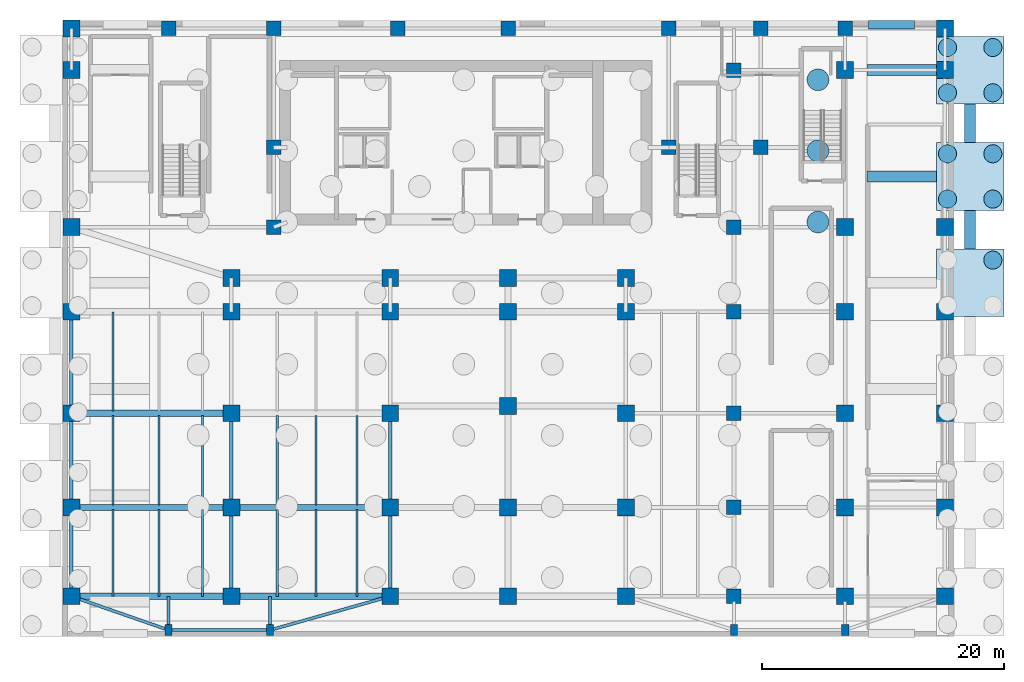
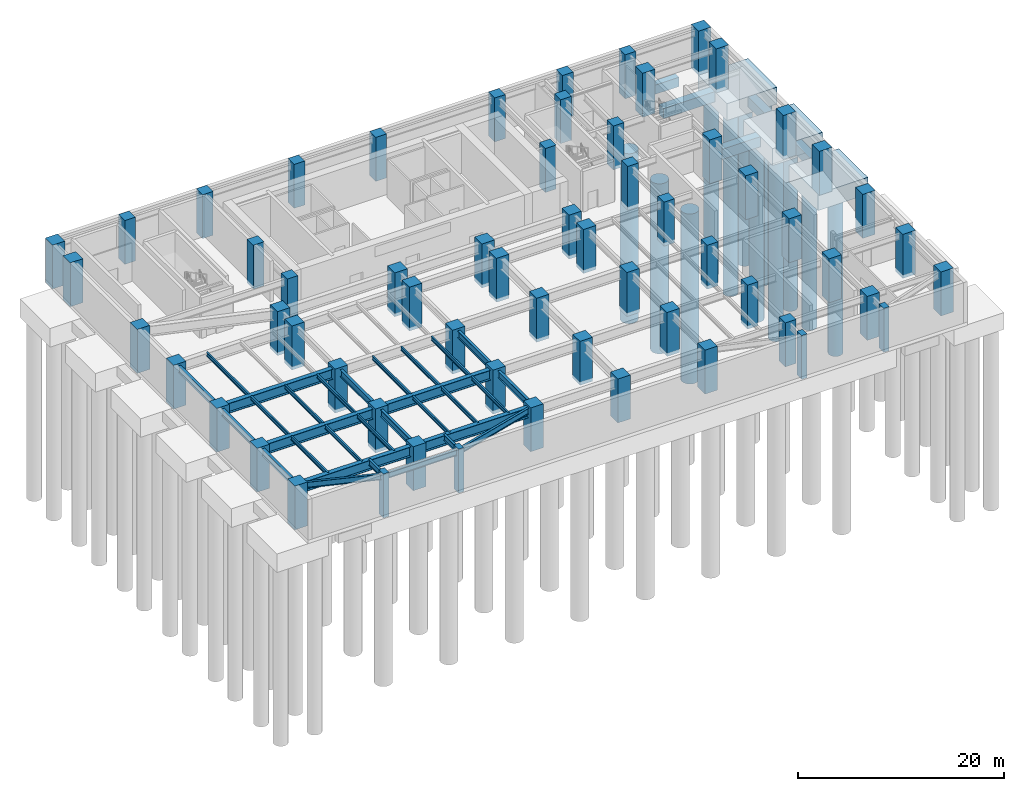
# One storey, part 2 of 9: 61 columns, 30 beams, 12 piles, 8 footings.
"""IFC4 building model written with IfcOpenShell, lengths in metres."""

from ifc_helpers import new_model, si_unit, direction, frame, origin, origin_2d, place, context, subcontext, project, spatial, polyline, rectangle, circle, i_section, outline, extrude, source, transform, mapped, material, material_profile, profile_set, type_object, type_shapes, element, save


model = new_model("IFC4")

# Units and contexts
model_context = context("Model", 3, precision=1e-05, world=origin(), true_north=direction((0.0, 1.0)))
body_context = subcontext(model_context, "Body", "Model", "MODEL_VIEW")
ifc_project = project(units=[si_unit("LENGTHUNIT", "METRE"), si_unit("AREAUNIT", "SQUARE_METRE"), si_unit("VOLUMEUNIT", "CUBIC_METRE"), si_unit("PLANEANGLEUNIT", "RADIAN"), si_unit("MASSUNIT", "GRAM", prefix="KILO")], contexts=[model_context])

# Site, building, storey
site_placement = place(None, origin())
site = spatial("IfcSite", under=ifc_project, at=site_placement, CompositionType="ELEMENT")
building_placement = place(site_placement, origin())
building = spatial("IfcBuilding", under=site, at=building_placement, Name="Tolvann Quenvar Hotel", CompositionType="ELEMENT")
storey_placement = place(building_placement, frame((0.0, 0.0, -14.39990234375)))
storey = spatial("IfcBuildingStorey", under=building, at=storey_placement, Name="B03", CompositionType="ELEMENT", Elevation=-14.39990234375)

# Footings
ifc_material_1 = material(Name="Concrete N50 (50 MPa)", Category="concrete")
footing_type_1 = type_object("IfcFootingType", Name="FTG_PC2_5600", PredefinedType="PILE_CAP", material=ifc_material_1)
footing_1_placement = place(storey_placement, frame((0.0, 0.0, -2.400146484375)))
element("IfcFooting", 1, at=footing_1_placement, inside=storey, type_object=footing_type_1, Name="Footing PC-2 (FTG-PC2-E4)", PredefinedType="PILE_CAP", context=body_context, shape_type="SweptSolid", body=[
    extrude(outline(polyline([(63.949951171875, 24.0), (69.550048828125, 24.0), (69.550048828125, 29.60009765625), (63.949951171875, 29.60009765625), (63.949951171875, 24.0)])), origin(), (0.0, 0.0, 1.0), 2.0),
])
footing_2_placement = place(storey_placement, frame((0.0, 0.0, -2.400146484375)))
element("IfcFooting", 2, at=footing_2_placement, inside=storey, type_object=footing_type_1, Name="Footing PC-2 (FTG-PC2-E5)", PredefinedType="PILE_CAP", context=body_context, shape_type="SweptSolid", body=[
    extrude(outline(polyline([(63.949951171875, 32.800048828125), (69.550048828125, 32.800048828125), (69.550048828125, 38.39990234375), (63.949951171875, 38.39990234375), (63.949951171875, 32.800048828125)])), origin(), (0.0, 0.0, 1.0), 2.0),
])
footing_3_placement = place(storey_placement, frame((0.0, 0.0, -2.400146484375)))
element("IfcFooting", 3, at=footing_3_placement, inside=storey, type_object=footing_type_1, Name="Footing PC-2 (FTG-PC2-E6)", PredefinedType="PILE_CAP", context=body_context, shape_type="SweptSolid", body=[
    extrude(outline(polyline([(63.949951171875, 41.60009765625), (69.550048828125, 41.60009765625), (69.550048828125, 47.199951171875), (63.949951171875, 47.199951171875), (63.949951171875, 41.60009765625)])), origin(), (0.0, 0.0, 1.0), 2.0),
])

# Piles
ifc_material_profile_1 = material_profile(ifc_material_1, circle(Radius=0.75, at=origin_2d()), Name="PILE1500")
ifc_profile_set_1 = profile_set([ifc_material_profile_1], Name="Concrete N50 (50 MPa)")
pile_type_1 = type_object("IfcPileType", Name="PILE_BORED_1500", PredefinedType="BORED", material=ifc_profile_set_1)
for number, where, z_axis, x_axis, name in (
    (4, (68.625, 28.675048828125, -2.280029296875), (0.0, 0.0, -1.0), (1.0, 0.0, 0.0), "Bored Pile PILE-P2-032"),
    (5, (64.875, 33.72509765625, -2.280029296875), (0.0, 0.0, -1.0), (1.0, 0.0, 0.0), "Bored Pile PILE-P2-037"),
    (6, (68.625, 33.72509765625, -2.280029296875), (0.0, 0.0, -1.0), (1.0, 0.0, 0.0), "Bored Pile PILE-P2-038"),
    (7, (64.875, 37.47509765625, -2.280029296875), (0.0, 0.0, -1.0), (1.0, 0.0, 0.0), "Bored Pile PILE-P2-039"),
    (8, (68.625, 37.47509765625, -2.280029296875), (0.0, 0.0, -1.0), (1.0, 0.0, 0.0), "Bored Pile PILE-P2-040"),
    (9, (64.875, 42.52490234375, -2.280029296875), (0.0, 0.0, -1.0), (1.0, 0.0, 0.0), "Bored Pile PILE-P2-045"),
    (10, (68.625, 42.52490234375, -2.280029296875), (0.0, 0.0, -1.0), (1.0, 0.0, 0.0), "Bored Pile PILE-P2-046"),
    (11, (64.875, 46.27490234375, -2.280029296875), (0.0, 0.0, -1.0), (1.0, 0.0, 0.0), "Bored Pile PILE-P2-047"),
    (12, (68.625, 46.27490234375, -2.280029296875), (0.0, 0.0, -1.0), (1.0, 0.0, 0.0), "Bored Pile PILE-P2-048"),
):
    element("IfcPile", number, at=place(storey_placement, frame(where, z_axis=z_axis, x_axis=x_axis)), inside=storey, type_object=pile_type_1, Name=name, PredefinedType="BORED", context=body_context, shape_type="SweptSolid", body=[
        extrude(circle(Radius=0.75, at=origin_2d()), origin(), (0.0, 0.0, 1.0), 21.320068359375),
    ])
ifc_material_2 = material(Name="Concrete S65 (65 MPa)", Category="concrete")
ifc_material_profile_2 = material_profile(ifc_material_2, circle(Radius=0.89990234375, at=origin_2d()), Name="PILE1800")
ifc_profile_set_2 = profile_set([ifc_material_profile_2], Name="Concrete S65 (65 MPa)")
pile_type_2 = type_object("IfcPileType", Name="PILE_BORED_1800", PredefinedType="BORED", material=ifc_profile_set_2)
for number, where, z_axis, x_axis, name in (
    (13, (54.14990234375, 31.8291015625, -3.47998046875), (0.0, 0.0, -1.0), (1.0, 0.0, 0.0), "Bored Pile PILE-P1-048"),
    (14, (54.14990234375, 37.714111328125, -3.47998046875), (0.0, 0.0, -1.0), (1.0, 0.0, 0.0), "Bored Pile PILE-P1-056"),
    (15, (54.14990234375, 43.60009765625, -3.47998046875), (0.0, 0.0, -1.0), (1.0, 0.0, 0.0), "Bored Pile PILE-P1-064"),
):
    element("IfcPile", number, at=place(storey_placement, frame(where, z_axis=z_axis, x_axis=x_axis)), inside=storey, type_object=pile_type_2, Name=name, PredefinedType="BORED", context=body_context, shape_type="SweptSolid", body=[
        extrude(circle(Radius=0.89990234375, at=origin_2d()), origin(), (0.0, 0.0, 1.0), 20.1201171875),
    ])

# Footings
ifc_material_profile_3 = material_profile(ifc_material_1, rectangle(XDim=0.89990234375, YDim=1.199951171875, at=origin_2d()), Name="RC900x1200")
ifc_profile_set_3 = profile_set([ifc_material_profile_3], Name="Concrete N50 (50 MPa)")
footing_type_2 = type_object("IfcFootingType", Name="FTG_GB1_900x1200", PredefinedType="FOOTING_BEAM", material=ifc_profile_set_3)
shared_shape_1 = source(origin(), body_context, "Body", "SweptSolid", [
    extrude(rectangle(XDim=0.89990234375, YDim=1.199951171875, at=origin_2d()), origin(), (0.0, 0.0, 1.0), 3.199951171875),
])
footing_4_placement = place(storey_placement, frame((66.75, 29.60009765625, -1.0), z_axis=(0.0, 1.0, 0.0), x_axis=(-1.0, 0.0, 0.0)))
element("IfcFooting", 16, at=footing_4_placement, inside=storey, type_object=footing_type_2, Name="Ground Tie Beam FTG-GB1-EL4", PredefinedType="FOOTING_BEAM", context=body_context, shape_type="MappedRepresentation", body=[
    mapped(shared_shape_1, transform((0.0, 0.0, 0.0), x_axis=(1.0, 0.0, 0.0), y_axis=(0.0, 1.0, 0.0), z_axis=(0.0, 0.0, 1.0), scale=1.0)),
])
shared_shape_2 = source(origin(), body_context, "Body", "SweptSolid", [
    extrude(rectangle(XDim=0.89990234375, YDim=1.199951171875, at=origin_2d()), origin(), (0.0, 0.0, 1.0), 3.2001953125),
])
footing_5_placement = place(storey_placement, frame((66.75, 38.39990234375, -1.0), z_axis=(0.0, 1.0, 0.0), x_axis=(-1.0, 0.0, 0.0)))
element("IfcFooting", 17, at=footing_5_placement, inside=storey, type_object=footing_type_2, Name="Ground Tie Beam FTG-GB1-EL5", PredefinedType="FOOTING_BEAM", context=body_context, shape_type="MappedRepresentation", body=[
    mapped(shared_shape_2, transform((0.0, 0.0, 0.0), x_axis=(1.0, 0.0, 0.0), y_axis=(0.0, 1.0, 0.0), z_axis=(0.0, 0.0, 1.0), scale=1.0)),
])
shared_shape_3 = source(origin(), body_context, "Body", "SweptSolid", [
    extrude(rectangle(XDim=0.89990234375, YDim=1.199951171875, at=origin_2d()), origin(), (0.0, 0.0, 1.0), 5.75),
])
type_shapes(footing_type_2, [shared_shape_1, shared_shape_2, shared_shape_3])
for number, where, z_axis, x_axis, name in (
    (18, (58.199951171875, 35.60009765625, -1.0), (1.0, 0.0, 0.0), (0.0, 1.0, 0.0), "Ground Tie Beam FTG-GB1-ET5"),
    (19, (58.199951171875, 44.39990234375, -1.0), (1.0, 0.0, 0.0), (0.0, 1.0, 0.0), "Ground Tie Beam FTG-GB1-ET6"),
):
    element("IfcFooting", number, at=place(storey_placement, frame(where, z_axis=z_axis, x_axis=x_axis)), inside=storey, type_object=footing_type_2, Name=name, PredefinedType="FOOTING_BEAM", context=body_context, shape_type="MappedRepresentation", body=[
        mapped(shared_shape_3, transform((0.0, 0.0, 0.0), x_axis=(1.0, 0.0, 0.0), y_axis=(0.0, 1.0, 0.0), z_axis=(0.0, 0.0, 1.0), scale=1.0)),
    ])
ifc_material_profile_4 = material_profile(ifc_material_1, rectangle(XDim=0.699951171875, YDim=1.10009765625, at=origin_2d()), Name="RC700x1100")
ifc_profile_set_4 = profile_set([ifc_material_profile_4], Name="Concrete N50 (50 MPa)")
footing_type_3 = type_object("IfcFootingType", Name="FTG_SF1_700x1100", PredefinedType="STRIP_FOOTING", material=ifc_profile_set_4)
shared_shape_4 = source(origin(), body_context, "Body", "SweptSolid", [
    extrude(rectangle(XDim=0.699951171875, YDim=1.10009765625, at=origin_2d()), origin(), (0.0, 0.0, 1.0), 3.7998046875),
])
type_shapes(footing_type_3, [shared_shape_4])
footing_6_placement = place(storey_placement, frame((58.35009765625, 48.14990234375, -0.9501953125), z_axis=(1.0, 0.0, 0.0), x_axis=(0.0, 1.0, 0.0)))
element("IfcFooting", 20, at=footing_6_placement, inside=storey, type_object=footing_type_3, Name="Strip Footing FTG-SF1-NE", PredefinedType="STRIP_FOOTING", context=body_context, shape_type="MappedRepresentation", body=[
    mapped(shared_shape_4, transform((0.0, 0.0, 0.0), x_axis=(1.0, 0.0, 0.0), y_axis=(0.0, 1.0, 0.0), z_axis=(0.0, 0.0, 1.0), scale=1.0)),
])

# Columns
ifc_material_3 = material(Name="Concrete S80 (80 MPa)", Category="concrete")
ifc_material_profile_5 = material_profile(ifc_material_3, rectangle(XDim=1.39990234375, YDim=1.39990234375, at=origin_2d()), Name="RC1400x1400")
ifc_profile_set_5 = profile_set([ifc_material_profile_5], Name="Concrete S80 (80 MPa)")
column_type_1 = type_object("IfcColumnType", Name="COL_RC1400", PredefinedType="COLUMN", material=ifc_profile_set_5)
shared_shape_5 = source(origin(), body_context, "Body", "SweptSolid", [
    extrude(rectangle(XDim=1.39990234375, YDim=1.39990234375, at=origin_2d()), origin(), (0.0, 0.0, 1.0), 5.199951171875),
])
type_shapes(column_type_1, [shared_shape_5])
for number, where, z_axis, x_axis, name in (
    (21, (-7.64990234375, 0.85009765625, -0.400146484375), (0.0, 0.0, 1.0), (1.0, 0.0, 0.0), "Column PA1 (B03)"),
    (22, (64.64990234375, 0.85009765625, -0.400146484375), (0.0, 0.0, 1.0), (1.0, 0.0, 0.0), "Column PK1 (B03)"),
    (23, (-7.64990234375, 8.199951171875, -0.400146484375), (0.0, 0.0, 1.0), (1.0, 0.0, 0.0), "Column PA2 (B03)"),
    (24, (64.64990234375, 8.199951171875, -0.400146484375), (0.0, 0.0, 1.0), (1.0, 0.0, 0.0), "Column PK2 (B03)"),
    (25, (-7.64990234375, 16.0, -0.400146484375), (0.0, 0.0, 1.0), (1.0, 0.0, 0.0), "Column PA3 (B03)"),
    (26, (64.64990234375, 16.0, -0.400146484375), (0.0, 0.0, 1.0), (1.0, 0.0, 0.0), "Column PK3 (B03)"),
    (27, (-7.64990234375, 24.39990234375, -0.400146484375), (0.0, 0.0, 1.0), (1.0, 0.0, 0.0), "Column PA4 (B03)"),
    (28, (64.64990234375, 24.39990234375, -0.400146484375), (0.0, 0.0, 1.0), (1.0, 0.0, 0.0), "Column PK4 (B03)"),
    (29, (-7.64990234375, 31.39990234375, -0.400146484375), (0.0, 0.0, 1.0), (1.0, 0.0, 0.0), "Column PA5 (B03)"),
    (30, (64.64990234375, 31.39990234375, -0.400146484375), (0.0, 0.0, 1.0), (1.0, 0.0, 0.0), "Column PK5 (B03)"),
    (31, (-7.64990234375, 44.39990234375, -0.400146484375), (0.0, 0.0, 1.0), (1.0, 0.0, 0.0), "Column PA6 (B03)"),
    (32, (64.64990234375, 44.39990234375, -0.400146484375), (0.0, 0.0, 1.0), (1.0, 0.0, 0.0), "Column PK6 (B03)"),
    (33, (-7.64990234375, 47.85009765625, -0.400146484375), (0.0, 0.0, 1.0), (1.0, 0.0, 0.0), "Column PAN (B03)"),
    (34, (64.64990234375, 47.85009765625, -0.400146484375), (0.0, 0.0, 1.0), (1.0, 0.0, 0.0), "Column PKN (B03)"),
    (35, (18.75, 0.85009765625, -0.400146484375), (0.0, 0.0, 1.0), (1.0, 0.0, 0.0), "Column PAPW1 (B03)"),
    (36, (38.25, 0.85009765625, -0.400146484375), (0.0, 0.0, 1.0), (1.0, 0.0, 0.0), "Column PAPE1 (B03)"),
    (37, (18.75, 8.199951171875, -0.400146484375), (0.0, 0.0, 1.0), (1.0, 0.0, 0.0), "Column PAPW2 (B03)"),
    (38, (38.25, 8.199951171875, -0.400146484375), (0.0, 0.0, 1.0), (1.0, 0.0, 0.0), "Column PAPE2 (B03)"),
    (39, (18.75, 16.0, -0.400146484375), (0.0, 0.0, 1.0), (1.0, 0.0, 0.0), "Column PAPW3 (B03)"),
    (40, (38.25, 16.0, -0.400146484375), (0.0, 0.0, 1.0), (1.0, 0.0, 0.0), "Column PAPE3 (B03)"),
    (41, (18.75, 24.39990234375, -0.400146484375), (0.0, 0.0, 1.0), (1.0, 0.0, 0.0), "Column PAPW4 (B03)"),
    (42, (38.25, 24.39990234375, -0.400146484375), (0.0, 0.0, 1.0), (1.0, 0.0, 0.0), "Column PAPE4 (B03)"),
    (43, (18.75, 27.199951171875, -0.400146484375), (0.0, 0.0, 1.0), (1.0, 0.0, 0.0), "Column PAPW5 (B03)"),
    (44, (38.25, 27.199951171875, -0.400146484375), (0.0, 0.0, 1.0), (1.0, 0.0, 0.0), "Column PAPE5 (B03)"),
    (45, (56.39990234375, 0.85009765625, -0.400146484375), (0.0, 0.0, 1.0), (1.0, 0.0, 0.0), "Column PJ1 (B03)"),
    (46, (56.39990234375, 8.199951171875, -0.400146484375), (0.0, 0.0, 1.0), (1.0, 0.0, 0.0), "Column PJ2 (B03)"),
    (47, (56.39990234375, 16.0, -0.400146484375), (0.0, 0.0, 1.0), (1.0, 0.0, 0.0), "Column PJ3 (B03)"),
    (48, (56.39990234375, 24.39990234375, -0.400146484375), (0.0, 0.0, 1.0), (1.0, 0.0, 0.0), "Column PJ4 (B03)"),
    (49, (56.39990234375, 31.39990234375, -0.400146484375), (0.0, 0.0, 1.0), (1.0, 0.0, 0.0), "Column PJ5 (B03)"),
    (50, (56.39990234375, 44.39990234375, -0.400146484375), (0.0, 0.0, 1.0), (1.0, 0.0, 0.0), "Column PJ6 (B03)"),
    (51, (5.60009765625, 0.85009765625, -0.400146484375), (0.0, 0.0, 1.0), (1.0, 0.0, 0.0), "Column PBAL1 (B03)"),
    (52, (5.60009765625, 8.199951171875, -0.400146484375), (0.0, 0.0, 1.0), (1.0, 0.0, 0.0), "Column PBAL2 (B03)"),
    (53, (5.60009765625, 16.0, -0.400146484375), (0.0, 0.0, 1.0), (1.0, 0.0, 0.0), "Column PBAL3 (B03)"),
    (54, (5.60009765625, 24.39990234375, -0.400146484375), (0.0, 0.0, 1.0), (1.0, 0.0, 0.0), "Column PBAL4 (B03)"),
    (55, (5.60009765625, 27.199951171875, -0.400146484375), (0.0, 0.0, 1.0), (1.0, 0.0, 0.0), "Column PBAL5 (B03)"),
    (56, (28.5, 0.85009765625, -0.400146484375), (0.0, 0.0, 1.0), (1.0, 0.0, 0.0), "Column PARCH1 (B03)"),
    (57, (28.5, 8.199951171875, -0.400146484375), (0.0, 0.0, 1.0), (1.0, 0.0, 0.0), "Column PARCH2 (B03)"),
    (58, (28.5, 16.60009765625, -0.400146484375), (0.0, 0.0, 1.0), (1.0, 0.0, 0.0), "Column PARCH3 (B03)"),
    (59, (28.5, 24.39990234375, -0.400146484375), (0.0, 0.0, 1.0), (1.0, 0.0, 0.0), "Column PARCH4 (B03)"),
    (60, (28.5, 27.199951171875, -0.400146484375), (0.0, 0.0, 1.0), (1.0, 0.0, 0.0), "Column PARCH5 (B03)"),
):
    element("IfcColumn", number, at=place(storey_placement, frame(where, z_axis=z_axis, x_axis=x_axis)), inside=storey, type_object=column_type_1, Name=name, PredefinedType="COLUMN", context=body_context, shape_type="MappedRepresentation", body=[
        mapped(shared_shape_5, transform((0.0, 0.0, 0.0), x_axis=(1.0, 0.0, 0.0), y_axis=(0.0, 1.0, 0.0), z_axis=(0.0, 0.0, 1.0), scale=1.0)),
    ])
ifc_material_profile_6 = material_profile(ifc_material_3, rectangle(XDim=1.199951171875, YDim=1.199951171875, at=origin_2d()), Name="RC1200x1200")
ifc_profile_set_6 = profile_set([ifc_material_profile_6], Name="Concrete S80 (80 MPa)")
column_type_2 = type_object("IfcColumnType", Name="COL_RC1200", PredefinedType="COLUMN", material=ifc_profile_set_6)
shared_shape_6 = source(origin(), body_context, "Body", "SweptSolid", [
    extrude(rectangle(XDim=1.199951171875, YDim=1.199951171875, at=origin_2d()), origin(), (0.0, 0.0, 1.0), 5.199951171875),
])
type_shapes(column_type_2, [shared_shape_6])
for number, where, z_axis, x_axis, name in (
    (61, (47.199951171875, 0.85009765625, -0.400146484375), (0.0, 0.0, 1.0), (1.0, 0.0, 0.0), "Column PH1 (B03)"),
    (62, (47.199951171875, 8.199951171875, -0.400146484375), (0.0, 0.0, 1.0), (1.0, 0.0, 0.0), "Column PH2 (B03)"),
    (63, (47.199951171875, 16.0, -0.400146484375), (0.0, 0.0, 1.0), (1.0, 0.0, 0.0), "Column PH3 (B03)"),
    (64, (47.199951171875, 24.39990234375, -0.400146484375), (0.0, 0.0, 1.0), (1.0, 0.0, 0.0), "Column PH4 (B03)"),
    (65, (47.199951171875, 31.39990234375, -0.400146484375), (0.0, 0.0, 1.0), (1.0, 0.0, 0.0), "Column PH5 (B03)"),
    (66, (47.199951171875, 44.39990234375, -0.400146484375), (0.0, 0.0, 1.0), (1.0, 0.0, 0.0), "Column PH6 (B03)"),
    (67, (0.39990234375, 47.85009765625, -0.400146484375), (0.0, 0.0, 1.0), (1.0, 0.0, 0.0), "Column PN1 (B03)"),
    (68, (9.10009765625, 47.85009765625, -0.400146484375), (0.0, 0.0, 1.0), (1.0, 0.0, 0.0), "Column PN2 (B03)"),
    (69, (19.35009765625, 47.85009765625, -0.400146484375), (0.0, 0.0, 1.0), (1.0, 0.0, 0.0), "Column PN3 (B03)"),
    (70, (28.5, 47.85009765625, -0.400146484375), (0.0, 0.0, 1.0), (1.0, 0.0, 0.0), "Column PN4 (B03)"),
    (71, (41.800048828125, 47.85009765625, -0.400146484375), (0.0, 0.0, 1.0), (1.0, 0.0, 0.0), "Column PN5 (B03)"),
    (72, (49.39990234375, 47.85009765625, -0.400146484375), (0.0, 0.0, 1.0), (1.0, 0.0, 0.0), "Column PN6 (B03)"),
    (73, (56.39990234375, 47.85009765625, -0.400146484375), (0.0, 0.0, 1.0), (1.0, 0.0, 0.0), "Column PN7 (B03)"),
    (74, (9.10009765625, 38.0, -0.400146484375), (0.0, 0.0, 1.0), (1.0, 0.0, 0.0), "Column PCN (B03)"),
    (75, (41.800048828125, 38.0, -0.400146484375), (0.0, 0.0, 1.0), (1.0, 0.0, 0.0), "Column PHN (B03)"),
    (76, (49.39990234375, 38.0, -0.400146484375), (0.0, 0.0, 1.0), (1.0, 0.0, 0.0), "Column PIN (B03)"),
    (77, (9.10009765625, 31.39990234375, -0.400146484375), (0.0, 0.0, 1.0), (1.0, 0.0, 0.0), "Column PCNS (B03)"),
):
    element("IfcColumn", number, at=place(storey_placement, frame(where, z_axis=z_axis, x_axis=x_axis)), inside=storey, type_object=column_type_2, Name=name, PredefinedType="COLUMN", context=body_context, shape_type="MappedRepresentation", body=[
        mapped(shared_shape_6, transform((0.0, 0.0, 0.0), x_axis=(1.0, 0.0, 0.0), y_axis=(0.0, 1.0, 0.0), z_axis=(0.0, 0.0, 1.0), scale=1.0)),
    ])
ifc_material_profile_7 = material_profile(ifc_material_1, rectangle(XDim=0.60009765625, YDim=0.89990234375, at=origin_2d()), Name="RC600x900")
ifc_profile_set_7 = profile_set([ifc_material_profile_7], Name="Concrete N50 (50 MPa)")
column_type_3 = type_object("IfcColumnType", Name="COL_PILASTER_600x900", PredefinedType="PILASTER", material=ifc_profile_set_7)
shared_shape_7 = source(origin(), body_context, "Body", "SweptSolid", [
    extrude(rectangle(XDim=0.60009765625, YDim=0.89990234375, at=origin_2d()), origin(), (0.0, 0.0, 1.0), 5.199951171875),
])
type_shapes(column_type_3, [shared_shape_7])
for number, where, z_axis, x_axis, name in (
    (78, (0.39990234375, -1.949951171875, -0.400146484375), (0.0, 0.0, 1.0), (1.0, 0.0, 0.0), "Column PIL-S1 (B03)"),
    (79, (8.800048828125, -1.949951171875, -0.400146484375), (0.0, 0.0, 1.0), (1.0, 0.0, 0.0), "Column PIL-S2 (B03)"),
    (80, (47.199951171875, -1.949951171875, -0.400146484375), (0.0, 0.0, 1.0), (1.0, 0.0, 0.0), "Column PIL-S3 (B03)"),
    (81, (56.39990234375, -1.949951171875, -0.400146484375), (0.0, 0.0, 1.0), (1.0, 0.0, 0.0), "Column PIL-S4 (B03)"),
):
    element("IfcColumn", number, at=place(storey_placement, frame(where, z_axis=z_axis, x_axis=x_axis)), inside=storey, type_object=column_type_3, Name=name, PredefinedType="PILASTER", context=body_context, shape_type="MappedRepresentation", body=[
        mapped(shared_shape_7, transform((0.0, 0.0, 0.0), x_axis=(1.0, 0.0, 0.0), y_axis=(0.0, 1.0, 0.0), z_axis=(0.0, 0.0, 1.0), scale=1.0)),
    ])

# Beams
ifc_material_4 = material(Name="Steel Grade 350", Category="steel")
ifc_material_profile_8 = material_profile(ifc_material_4, i_section(OverallWidth=0.5, OverallDepth=1.199951171875, WebThickness=0.01611328125, FlangeThickness=0.0400390625, at=origin_2d()), Name="1200WB455")
ifc_profile_set_8 = profile_set([ifc_material_profile_8], Name="Steel Grade 350")
beam_type_1 = type_object("IfcBeamType", Name="BM_TG_1200WB455", PredefinedType="USERDEFINED", material=ifc_profile_set_8)
shared_shape_8 = source(origin(), body_context, "Body", "SweptSolid", [
    extrude(i_section(OverallWidth=0.5, OverallDepth=1.199951171875, WebThickness=0.01611328125, FlangeThickness=0.0400390625, at=origin_2d()), origin(), (0.0, 0.0, 1.0), 13.25),
])
for number, where, z_axis, x_axis, name in (
    (82, (-7.64990234375, 0.85009765625, 3.93994140625), (1.0, 0.0, 0.0), (0.0, 1.0, 0.0), "BM-B03-GW1-1"),
    (83, (-7.64990234375, 8.199951171875, 3.93994140625), (1.0, 0.0, 0.0), (0.0, 1.0, 0.0), "BM-B03-GW1-2"),
    (84, (-7.64990234375, 16.0, 3.93994140625), (1.0, 0.0, 0.0), (0.0, 1.0, 0.0), "BM-B03-GW1-3"),
):
    element("IfcBeam", number, at=place(storey_placement, frame(where, z_axis=z_axis, x_axis=x_axis)), inside=storey, type_object=beam_type_1, Name=name, ObjectType="TRANSFER GIRDER", PredefinedType="USERDEFINED", context=body_context, shape_type="MappedRepresentation", body=[
        mapped(shared_shape_8, transform((0.0, 0.0, 0.0), x_axis=(1.0, 0.0, 0.0), y_axis=(0.0, 1.0, 0.0), z_axis=(0.0, 0.0, 1.0), scale=1.0)),
    ])
shared_shape_9 = source(origin(), body_context, "Body", "SweptSolid", [
    extrude(i_section(OverallWidth=0.5, OverallDepth=1.199951171875, WebThickness=0.01611328125, FlangeThickness=0.0400390625, at=origin_2d()), origin(), (0.0, 0.0, 1.0), 13.14990234375),
])
type_shapes(beam_type_1, [shared_shape_8, shared_shape_9])
for number, where, z_axis, x_axis, name in (
    (85, (5.60009765625, 0.85009765625, 3.93994140625), (1.0, 0.0, 0.0), (0.0, 1.0, 0.0), "BM-B03-GW2-1"),
    (86, (5.60009765625, 8.199951171875, 3.93994140625), (1.0, 0.0, 0.0), (0.0, 1.0, 0.0), "BM-B03-GW2-2"),
):
    element("IfcBeam", number, at=place(storey_placement, frame(where, z_axis=z_axis, x_axis=x_axis)), inside=storey, type_object=beam_type_1, Name=name, ObjectType="TRANSFER GIRDER", PredefinedType="USERDEFINED", context=body_context, shape_type="MappedRepresentation", body=[
        mapped(shared_shape_9, transform((0.0, 0.0, 0.0), x_axis=(1.0, 0.0, 0.0), y_axis=(0.0, 1.0, 0.0), z_axis=(0.0, 0.0, 1.0), scale=1.0)),
    ])
ifc_material_profile_9 = material_profile(ifc_material_4, i_section(OverallWidth=0.300048828125, OverallDepth=0.81591796875, WebThickness=0.010009765625, FlangeThickness=0.028076171875, at=origin_2d()), Name="800WB192")
ifc_profile_set_9 = profile_set([ifc_material_profile_9], Name="Steel Grade 350")
beam_type_2 = type_object("IfcBeamType", Name="BM_GIRD_800WB192", PredefinedType="BEAM", material=ifc_profile_set_9)
shared_shape_10 = source(origin(), body_context, "Body", "SweptSolid", [
    extrude(i_section(OverallWidth=0.300048828125, OverallDepth=0.81591796875, WebThickness=0.010009765625, FlangeThickness=0.028076171875, at=origin_2d()), origin(), (0.0, 0.0, 1.0), 7.349853515625),
])
for number, where, z_axis, x_axis, name in (
    (87, (5.60009765625, 0.85009765625, 4.1318359375), (0.0, 1.0, 0.0), (-1.0, 0.0, 0.0), "BM-B03-NS-PBAL-0"),
    (88, (-7.64990234375, 0.85009765625, 4.1318359375), (0.0, 1.0, 0.0), (-1.0, 0.0, 0.0), "BM-B03-NS-A-0"),
    (89, (18.75, 0.85009765625, 4.1318359375), (0.0, 1.0, 0.0), (-1.0, 0.0, 0.0), "BM-B03-NS-APW-0"),
):
    element("IfcBeam", number, at=place(storey_placement, frame(where, z_axis=z_axis, x_axis=x_axis)), inside=storey, type_object=beam_type_2, Name=name, PredefinedType="BEAM", context=body_context, shape_type="MappedRepresentation", body=[
        mapped(shared_shape_10, transform((0.0, 0.0, 0.0), x_axis=(1.0, 0.0, 0.0), y_axis=(0.0, 1.0, 0.0), z_axis=(0.0, 0.0, 1.0), scale=1.0)),
    ])
shared_shape_11 = source(origin(), body_context, "Body", "SweptSolid", [
    extrude(i_section(OverallWidth=0.300048828125, OverallDepth=0.81591796875, WebThickness=0.010009765625, FlangeThickness=0.028076171875, at=origin_2d()), origin(), (0.0, 0.0, 1.0), 7.800048828125),
])
for number, where, z_axis, x_axis, name in (
    (90, (5.60009765625, 8.199951171875, 4.1318359375), (0.0, 1.0, 0.0), (-1.0, 0.0, 0.0), "BM-B03-NS-PBAL-1"),
    (91, (-7.64990234375, 8.199951171875, 4.1318359375), (0.0, 1.0, 0.0), (-1.0, 0.0, 0.0), "BM-B03-NS-A-1"),
    (92, (18.75, 8.199951171875, 4.1318359375), (0.0, 1.0, 0.0), (-1.0, 0.0, 0.0), "BM-B03-NS-APW-1"),
):
    element("IfcBeam", number, at=place(storey_placement, frame(where, z_axis=z_axis, x_axis=x_axis)), inside=storey, type_object=beam_type_2, Name=name, PredefinedType="BEAM", context=body_context, shape_type="MappedRepresentation", body=[
        mapped(shared_shape_11, transform((0.0, 0.0, 0.0), x_axis=(1.0, 0.0, 0.0), y_axis=(0.0, 1.0, 0.0), z_axis=(0.0, 0.0, 1.0), scale=1.0)),
    ])
shared_shape_12 = source(origin(), body_context, "Body", "SweptSolid", [
    extrude(i_section(OverallWidth=0.300048828125, OverallDepth=0.81591796875, WebThickness=0.010009765625, FlangeThickness=0.028076171875, at=origin_2d()), origin(), (0.0, 0.0, 1.0), 8.39990234375),
])
type_shapes(beam_type_2, [shared_shape_10, shared_shape_11, shared_shape_12])
beam_1_placement = place(storey_placement, frame((-7.64990234375, 16.0, 4.1318359375), z_axis=(0.0, 1.0, 0.0), x_axis=(-1.0, 0.0, 0.0)))
element("IfcBeam", 93, at=beam_1_placement, inside=storey, type_object=beam_type_2, Name="BM-B03-NS-A-2", PredefinedType="BEAM", context=body_context, shape_type="MappedRepresentation", body=[
    mapped(shared_shape_12, transform((0.0, 0.0, 0.0), x_axis=(1.0, 0.0, 0.0), y_axis=(0.0, 1.0, 0.0), z_axis=(0.0, 0.0, 1.0), scale=1.0)),
])
ifc_material_profile_10 = material_profile(ifc_material_4, i_section(OverallWidth=0.25, OverallDepth=0.699951171875, WebThickness=0.010009765625, FlangeThickness=0.02392578125, at=origin_2d()), Name="700WB150")
ifc_profile_set_10 = profile_set([ifc_material_profile_10], Name="Steel Grade 350")
beam_type_3 = type_object("IfcBeamType", Name="BM_GIRD_700WB150", PredefinedType="BEAM", material=ifc_profile_set_10)
shared_shape_13 = source(origin(), body_context, "Body", "SweptSolid", [
    extrude(i_section(OverallWidth=0.25, OverallDepth=0.699951171875, WebThickness=0.010009765625, FlangeThickness=0.02392578125, at=origin_2d()), origin(), (0.0, 0.0, 1.0), 8.52294921875),
])
beam_2_placement = place(storey_placement, frame((-7.64990234375, 0.85009765625, 4.18994140625), z_axis=(0.944492545724, -0.328532846261, 0.0), x_axis=(0.328532846261, 0.944492545724, 0.0)))
element("IfcBeam", 94, at=beam_2_placement, inside=storey, type_object=beam_type_3, Name="BM-B03-EWS-W0", PredefinedType="BEAM", context=body_context, shape_type="MappedRepresentation", body=[
    mapped(shared_shape_13, transform((0.0, 0.0, 0.0), x_axis=(1.0, 0.0, 0.0), y_axis=(0.0, 1.0, 0.0), z_axis=(0.0, 0.0, 1.0), scale=1.0)),
])
shared_shape_14 = source(origin(), body_context, "Body", "SweptSolid", [
    extrude(i_section(OverallWidth=0.25, OverallDepth=0.699951171875, WebThickness=0.010009765625, FlangeThickness=0.02392578125, at=origin_2d()), origin(), (0.0, 0.0, 1.0), 8.400146484375),
])
beam_3_placement = place(storey_placement, frame((0.39990234375, -1.949951171875, 4.18994140625), z_axis=(1.0, 0.0, 0.0), x_axis=(0.0, 1.0, 0.0)))
element("IfcBeam", 95, at=beam_3_placement, inside=storey, type_object=beam_type_3, Name="BM-B03-EWS-W1", PredefinedType="BEAM", context=body_context, shape_type="MappedRepresentation", body=[
    mapped(shared_shape_14, transform((0.0, 0.0, 0.0), x_axis=(1.0, 0.0, 0.0), y_axis=(0.0, 1.0, 0.0), z_axis=(0.0, 0.0, 1.0), scale=1.0)),
])
shared_shape_15 = source(origin(), body_context, "Body", "SweptSolid", [
    extrude(i_section(OverallWidth=0.25, OverallDepth=0.699951171875, WebThickness=0.010009765625, FlangeThickness=0.02392578125, at=origin_2d()), origin(), (0.0, 0.0, 1.0), 10.33642578125),
])
beam_4_placement = place(storey_placement, frame((8.800048828125, -1.949951171875, 4.18994140625), z_axis=(0.962609953155, 0.270891266169, 0.0), x_axis=(-0.270891266169, 0.962609953155, 0.0)))
element("IfcBeam", 96, at=beam_4_placement, inside=storey, type_object=beam_type_3, Name="BM-B03-EWS-W2", PredefinedType="BEAM", context=body_context, shape_type="MappedRepresentation", body=[
    mapped(shared_shape_15, transform((0.0, 0.0, 0.0), x_axis=(1.0, 0.0, 0.0), y_axis=(0.0, 1.0, 0.0), z_axis=(0.0, 0.0, 1.0), scale=1.0)),
])
shared_shape_16 = source(origin(), body_context, "Body", "SweptSolid", [
    extrude(i_section(OverallWidth=0.25, OverallDepth=0.699951171875, WebThickness=0.010009765625, FlangeThickness=0.02392578125, at=origin_2d()), origin(), (0.0, 0.0, 1.0), 2.800048828125),
])
type_shapes(beam_type_3, [shared_shape_13, shared_shape_14, shared_shape_15, shared_shape_16])
for number, where, z_axis, x_axis, name in (
    (97, (0.39990234375, -1.949951171875, 4.18994140625), (0.0, 1.0, 0.0), (-1.0, 0.0, 0.0), "BM-B03-TIE-S-0"),
    (98, (8.800048828125, -1.949951171875, 4.18994140625), (0.0, 1.0, 0.0), (-1.0, 0.0, 0.0), "BM-B03-TIE-S-8"),
):
    element("IfcBeam", number, at=place(storey_placement, frame(where, z_axis=z_axis, x_axis=x_axis)), inside=storey, type_object=beam_type_3, Name=name, PredefinedType="BEAM", context=body_context, shape_type="MappedRepresentation", body=[
        mapped(shared_shape_16, transform((0.0, 0.0, 0.0), x_axis=(1.0, 0.0, 0.0), y_axis=(0.0, 1.0, 0.0), z_axis=(0.0, 0.0, 1.0), scale=1.0)),
    ])
ifc_material_profile_11 = material_profile(ifc_material_4, i_section(OverallWidth=0.18994140625, OverallDepth=0.4541015625, WebThickness=0.008544921875, FlangeThickness=0.0126953125, FilletRadius=0.011474609375, at=origin_2d()), Name="460UB67")
ifc_profile_set_11 = profile_set([ifc_material_profile_11], Name="Steel Grade 350")
beam_type_4 = type_object("IfcBeamType", Name="BM_JOIST_460UB67", PredefinedType="JOIST", material=ifc_profile_set_11)
shared_shape_17 = source(origin(), body_context, "Body", "SweptSolid", [
    extrude(i_section(OverallWidth=0.18994140625, OverallDepth=0.4541015625, WebThickness=0.008544921875, FlangeThickness=0.0126953125, FilletRadius=0.011474609375, at=origin_2d()), origin(), (0.0, 0.0, 1.0), 7.164794921875),
])
for number, where, z_axis, x_axis, name in (
    (99, (-4.199951171875, 0.85009765625, 4.31298828125), (0.0, 1.0, 0.0), (-1.0, 0.0, 0.0), "BJ-B03--42-8"),
    (100, (-0.39990234375, 0.85009765625, 4.31298828125), (0.0, 1.0, 0.0), (-1.0, 0.0, 0.0), "BJ-B03--4-8"),
    (101, (3.199951171875, 0.85009765625, 4.31298828125), (0.0, 1.0, 0.0), (-1.0, 0.0, 0.0), "BJ-B03-32-8"),
    (102, (9.39990234375, 0.85009765625, 4.31298828125), (0.0, 1.0, 0.0), (-1.0, 0.0, 0.0), "BJ-B03-94-8"),
    (103, (12.60009765625, 0.85009765625, 4.31298828125), (0.0, 1.0, 0.0), (-1.0, 0.0, 0.0), "BJ-B03-126-8"),
    (104, (16.0, 0.85009765625, 4.31298828125), (0.0, 1.0, 0.0), (-1.0, 0.0, 0.0), "BJ-B03-160-8"),
):
    element("IfcBeam", number, at=place(storey_placement, frame(where, z_axis=z_axis, x_axis=x_axis)), inside=storey, type_object=beam_type_4, Name=name, PredefinedType="JOIST", context=body_context, shape_type="MappedRepresentation", body=[
        mapped(shared_shape_17, transform((0.0, 0.0, 0.0), x_axis=(1.0, 0.0, 0.0), y_axis=(0.0, 1.0, 0.0), z_axis=(0.0, 0.0, 1.0), scale=1.0)),
    ])
shared_shape_18 = source(origin(), body_context, "Body", "SweptSolid", [
    extrude(i_section(OverallWidth=0.18994140625, OverallDepth=0.4541015625, WebThickness=0.008544921875, FlangeThickness=0.0126953125, FilletRadius=0.011474609375, at=origin_2d()), origin(), (0.0, 0.0, 1.0), 7.429931640625),
])
for number, where, z_axis, x_axis, name in (
    (105, (-4.199951171875, 8.385009765625, 4.31298828125), (0.0, 1.0, 0.0), (-1.0, 0.0, 0.0), "BJ-B03--42-82"),
    (106, (-0.39990234375, 8.385009765625, 4.31298828125), (0.0, 1.0, 0.0), (-1.0, 0.0, 0.0), "BJ-B03--4-82"),
    (107, (3.199951171875, 8.385009765625, 4.31298828125), (0.0, 1.0, 0.0), (-1.0, 0.0, 0.0), "BJ-B03-32-82"),
    (108, (9.39990234375, 8.385009765625, 4.31298828125), (0.0, 1.0, 0.0), (-1.0, 0.0, 0.0), "BJ-B03-94-82"),
    (109, (12.60009765625, 8.385009765625, 4.31298828125), (0.0, 1.0, 0.0), (-1.0, 0.0, 0.0), "BJ-B03-126-82"),
    (110, (16.0, 8.385009765625, 4.31298828125), (0.0, 1.0, 0.0), (-1.0, 0.0, 0.0), "BJ-B03-160-82"),
):
    element("IfcBeam", number, at=place(storey_placement, frame(where, z_axis=z_axis, x_axis=x_axis)), inside=storey, type_object=beam_type_4, Name=name, PredefinedType="JOIST", context=body_context, shape_type="MappedRepresentation", body=[
        mapped(shared_shape_18, transform((0.0, 0.0, 0.0), x_axis=(1.0, 0.0, 0.0), y_axis=(0.0, 1.0, 0.0), z_axis=(0.0, 0.0, 1.0), scale=1.0)),
    ])
shared_shape_19 = source(origin(), body_context, "Body", "SweptSolid", [
    extrude(i_section(OverallWidth=0.18994140625, OverallDepth=0.4541015625, WebThickness=0.008544921875, FlangeThickness=0.0126953125, FilletRadius=0.011474609375, at=origin_2d()), origin(), (0.0, 0.0, 1.0), 8.21484375),
])
type_shapes(beam_type_4, [shared_shape_17, shared_shape_18, shared_shape_19])
beam_5_placement = place(storey_placement, frame((-4.199951171875, 16.18505859375, 4.31298828125), z_axis=(0.0, 1.0, 0.0), x_axis=(-1.0, 0.0, 0.0)))
element("IfcBeam", 111, at=beam_5_placement, inside=storey, type_object=beam_type_4, Name="BJ-B03--42-160", PredefinedType="JOIST", context=body_context, shape_type="MappedRepresentation", body=[
    mapped(shared_shape_19, transform((0.0, 0.0, 0.0), x_axis=(1.0, 0.0, 0.0), y_axis=(0.0, 1.0, 0.0), z_axis=(0.0, 0.0, 1.0), scale=1.0)),
])

save(model, "model.ifc")
